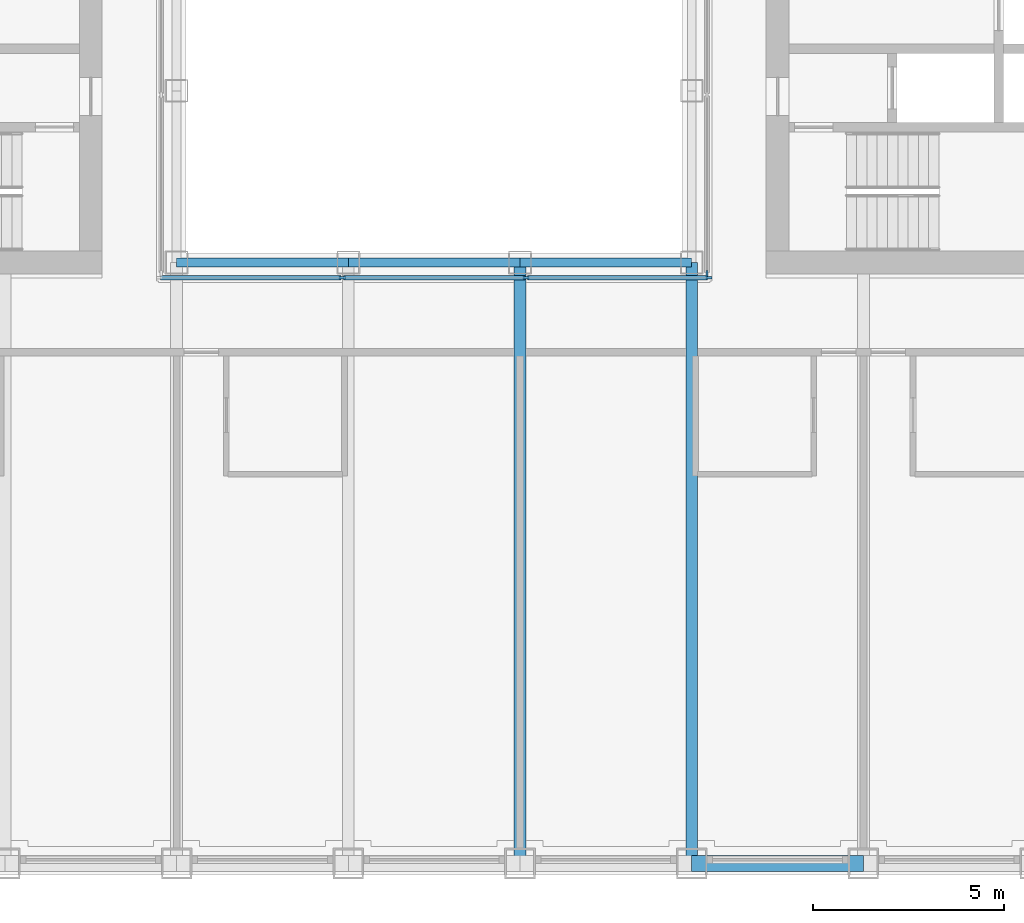
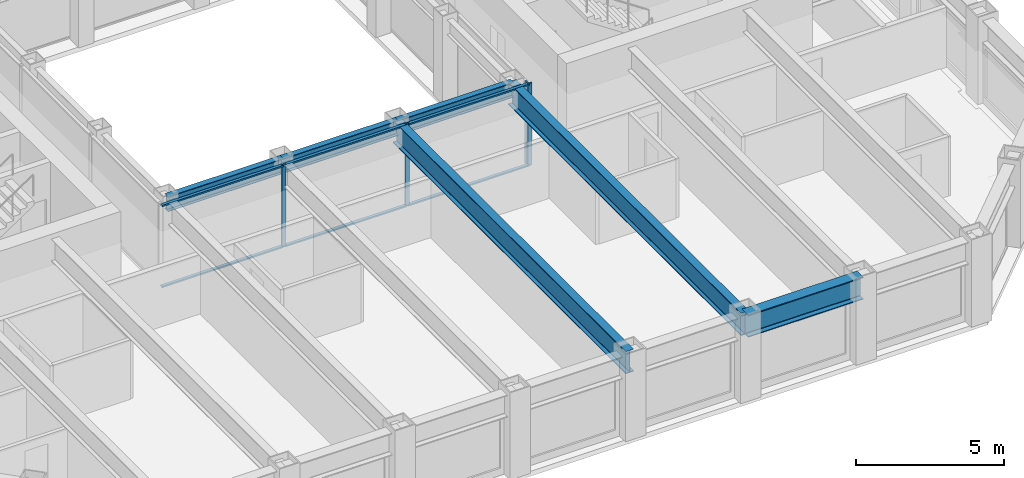
# One storey, part 3 of 17: 10 members, 6 beams, 2 elements without a shape of their own.
"""IFC4 building model written with IfcOpenShell, lengths in metres."""

from ifc_helpers import new_model, si_unit, direction, frame, origin, origin_2d, place, context, subcontext, project, spatial, rectangle, i_section, extrude, material, material_profile, profile_set, type_object, element, aggregate, save


model = new_model("IFC4")

# Units and contexts
model_context = context("Model", 3, precision=1e-05, world=origin(), true_north=direction((0.0, 1.0)))
body_context = subcontext(model_context, "Body", "Model", "MODEL_VIEW")
ifc_project = project(units=[si_unit("LENGTHUNIT", "METRE"), si_unit("AREAUNIT", "SQUARE_METRE"), si_unit("VOLUMEUNIT", "CUBIC_METRE"), si_unit("PLANEANGLEUNIT", "RADIAN"), si_unit("MASSUNIT", "GRAM", prefix="KILO")], contexts=[model_context])

# Site, building, storey
site_placement = place(None, origin())
site = spatial("IfcSite", under=ifc_project, at=site_placement, CompositionType="ELEMENT")
building_placement = place(site_placement, origin())
building = spatial("IfcBuilding", under=site, at=building_placement, Name="Msasa Ring Tower", CompositionType="ELEMENT")
storey_placement = place(building_placement, frame((0.0, 0.0, 172.39990234375)))
storey = spatial("IfcBuildingStorey", under=building, at=storey_placement, Name="L45", CompositionType="ELEMENT", Elevation=172.39990234375)

# Curtain wall, members
ifc_material_1 = material(Name="Aluminium curtain wall with clear glass", Category="aluminium")
curtain_wall_type = type_object("IfcCurtainWallType", Name="CW-W LIGHT WELL CURTAIN WALL", PredefinedType="NOTDEFINED", material=ifc_material_1)
curtain_wall_1_placement = place(storey_placement, origin())
curtain_wall_1 = element("IfcCurtainWall", 1, at=curtain_wall_1_placement, inside=storey, type_object=curtain_wall_type, Name="Light well curtain wall S L45", PredefinedType="NOTDEFINED")
ifc_material_2 = material(Name="Aluminium mullion", Category="aluminium")
ifc_material_profile_1 = material_profile(ifc_material_2, rectangle(XDim=0.06005859375, YDim=0.159912109375, at=origin_2d()), Name="AL 60x160")
ifc_profile_set_1 = profile_set([ifc_material_profile_1], Name="Aluminium mullion")
member_type_1 = type_object("IfcMemberType", Name="CW-W MULLION 60x160", PredefinedType="MULLION", material=ifc_profile_set_1)
member_1_placement = place(storey_placement, frame((-2.409912109375, -7.14990234375, 0.0), z_axis=(0.0, 0.0, 1.0), x_axis=(0.0, 1.0, 0.0)))
member_1 = element("IfcMember", 2, at=member_1_placement, type_object=member_type_1, Name="CW-W mullion 2", PredefinedType="MULLION", context=body_context, shape_type="SweptSolid", body=[
    extrude(rectangle(XDim=0.06005859375, YDim=0.159912109375, at=origin_2d()), origin(), (0.0, 0.0, 1.0), 3.400146484375),
])
member_2_placement = place(storey_placement, frame((2.409912109375, -7.14990234375, 0.0), z_axis=(0.0, 0.0, 1.0), x_axis=(0.0, 1.0, 0.0)))
member_2 = element("IfcMember", 3, at=member_2_placement, type_object=member_type_1, Name="CW-W mullion 3", PredefinedType="MULLION", context=body_context, shape_type="SweptSolid", body=[
    extrude(rectangle(XDim=0.06005859375, YDim=0.159912109375, at=origin_2d()), origin(), (0.0, 0.0, 1.0), 3.400146484375),
])
member_3_placement = place(storey_placement, frame((7.199951171875, -7.14990234375, 0.0), z_axis=(0.0, 0.0, 1.0), x_axis=(0.0, 1.0, 0.0)))
member_3 = element("IfcMember", 4, at=member_3_placement, type_object=member_type_1, Name="CW-W mullion 4", PredefinedType="MULLION", context=body_context, shape_type="SweptSolid", body=[
    extrude(rectangle(XDim=0.06005859375, YDim=0.159912109375, at=origin_2d()), origin(), (0.0, 0.0, 1.0), 3.400146484375),
])

# Curtain wall, member
curtain_wall_2_placement = place(storey_placement, origin())
curtain_wall_2 = element("IfcCurtainWall", 5, at=curtain_wall_2_placement, inside=storey, type_object=curtain_wall_type, Name="Light well curtain wall E L45", PredefinedType="NOTDEFINED")
member_4_placement = place(storey_placement, frame((7.14990234375, -7.0400390625, 0.0), z_axis=(0.0, 0.0, 1.0), x_axis=(-1.0, 0.0, 0.0)))
member_4 = element("IfcMember", 6, at=member_4_placement, type_object=member_type_1, Name="CW-W mullion 1", PredefinedType="MULLION", context=body_context, shape_type="SweptSolid", body=[
    extrude(rectangle(XDim=0.06005859375, YDim=0.159912109375, at=origin_2d()), origin(), (0.0, 0.0, 1.0), 3.400146484375),
])
aggregate(curtain_wall_2, [member_4])

# Member
ifc_material_3 = material(Name="Aluminium transom", Category="aluminium")
ifc_material_profile_2 = material_profile(ifc_material_3, rectangle(XDim=0.1201171875, YDim=0.06005859375, at=origin_2d()), Name="AL 60x120")
ifc_profile_set_2 = profile_set([ifc_material_profile_2], Name="Aluminium transom")
member_type_2 = type_object("IfcMemberType", Name="CW-W TRANSOM 60x120", PredefinedType="USERDEFINED", material=ifc_profile_set_2)
member_5_placement = place(storey_placement, frame((-7.169921875, -7.14990234375, 0.030029296875), z_axis=(1.0, 0.0, 0.0), x_axis=(0.0, 1.0, 0.0)))
member_5 = element("IfcMember", 7, at=member_5_placement, type_object=member_type_2, Name="CW-W transom 1.1", ObjectType="TRANSOM", PredefinedType="USERDEFINED", context=body_context, shape_type="SweptSolid", body=[
    extrude(rectangle(XDim=0.1201171875, YDim=0.06005859375, at=origin_2d()), origin(), (0.0, 0.0, 1.0), 4.72998046875),
])

member_6_placement = place(storey_placement, frame((-7.169921875, -7.14990234375, 3.3701171875), z_axis=(1.0, 0.0, 0.0), x_axis=(0.0, 1.0, 0.0)))
member_6 = element("IfcMember", 8, at=member_6_placement, type_object=member_type_2, Name="CW-W transom 1.2", ObjectType="TRANSOM", PredefinedType="USERDEFINED", context=body_context, shape_type="SweptSolid", body=[
    extrude(rectangle(XDim=0.1201171875, YDim=0.06005859375, at=origin_2d()), origin(), (0.0, 0.0, 1.0), 4.72998046875),
])

member_7_placement = place(storey_placement, frame((-2.3798828125, -7.14990234375, 0.030029296875), z_axis=(1.0, 0.0, 0.0), x_axis=(0.0, 1.0, 0.0)))
member_7 = element("IfcMember", 9, at=member_7_placement, type_object=member_type_2, Name="CW-W transom 2.1", ObjectType="TRANSOM", PredefinedType="USERDEFINED", context=body_context, shape_type="SweptSolid", body=[
    extrude(rectangle(XDim=0.1201171875, YDim=0.06005859375, at=origin_2d()), origin(), (0.0, 0.0, 1.0), 4.759765625),
])

member_8_placement = place(storey_placement, frame((-2.3798828125, -7.14990234375, 3.3701171875), z_axis=(1.0, 0.0, 0.0), x_axis=(0.0, 1.0, 0.0)))
member_8 = element("IfcMember", 10, at=member_8_placement, type_object=member_type_2, Name="CW-W transom 2.2", ObjectType="TRANSOM", PredefinedType="USERDEFINED", context=body_context, shape_type="SweptSolid", body=[
    extrude(rectangle(XDim=0.1201171875, YDim=0.06005859375, at=origin_2d()), origin(), (0.0, 0.0, 1.0), 4.759765625),
])

member_9_placement = place(storey_placement, frame((2.43994140625, -7.14990234375, 0.030029296875), z_axis=(1.0, 0.0, 0.0), x_axis=(0.0, 1.0, 0.0)))
member_9 = element("IfcMember", 11, at=member_9_placement, type_object=member_type_2, Name="CW-W transom 3.1", ObjectType="TRANSOM", PredefinedType="USERDEFINED", context=body_context, shape_type="SweptSolid", body=[
    extrude(rectangle(XDim=0.1201171875, YDim=0.06005859375, at=origin_2d()), origin(), (0.0, 0.0, 1.0), 4.72998046875),
])

member_10_placement = place(storey_placement, frame((2.43994140625, -7.14990234375, 3.3701171875), z_axis=(1.0, 0.0, 0.0), x_axis=(0.0, 1.0, 0.0)))
member_10 = element("IfcMember", 12, at=member_10_placement, type_object=member_type_2, Name="CW-W transom 3.2", ObjectType="TRANSOM", PredefinedType="USERDEFINED", context=body_context, shape_type="SweptSolid", body=[
    extrude(rectangle(XDim=0.1201171875, YDim=0.06005859375, at=origin_2d()), origin(), (0.0, 0.0, 1.0), 4.72998046875),
])

aggregate(curtain_wall_1, [member_1, member_2, member_3, member_5, member_6, member_7, member_8, member_9, member_10])

# Beams
ifc_material_4 = material(Name="Steel S355", Category="steel")
ifc_material_profile_3 = material_profile(ifc_material_4, i_section(OverallWidth=0.3076171875, OverallDepth=0.926513671875, WebThickness=0.01953125, FlangeThickness=0.031982421875, FilletRadius=0.01904296875, at=origin_2d()), Name="UB 914x305x289")
ifc_profile_set_3 = profile_set([ifc_material_profile_3], Name="Steel S355")
beam_type_1 = type_object("IfcBeamType", Name="FB3 UB 914x305x289", PredefinedType="BEAM", material=ifc_profile_set_3)
for number, where, z_axis, x_axis, name in (
    (13, (2.25, -22.5, 2.936767578125), (0.0, 1.0, 0.0), (-1.0, 0.0, 0.0), "Floor beam S+2.25 under L46"),
    (14, (6.75, -22.5, 2.936767578125), (0.0, 1.0, 0.0), (-1.0, 0.0, 0.0), "Floor beam S+6.75 under L46"),
):
    element("IfcBeam", number, at=place(storey_placement, frame(where, z_axis=z_axis, x_axis=x_axis)), inside=storey, type_object=beam_type_1, Name=name, PredefinedType="BEAM", context=body_context, shape_type="SweptSolid", body=[
        extrude(i_section(OverallWidth=0.3076171875, OverallDepth=0.926513671875, WebThickness=0.01953125, FlangeThickness=0.031982421875, FilletRadius=0.01904296875, at=origin_2d()), origin(), (0.0, 0.0, 1.0), 15.75),
    ])
ifc_material_5 = material(Name="Steel S355", Category="steel")
ifc_material_profile_4 = material_profile(ifc_material_5, i_section(OverallWidth=0.230224609375, OverallDepth=0.6171875, WebThickness=0.01318359375, FlangeThickness=0.022216796875, FilletRadius=0.0126953125, at=origin_2d()), Name="UB 610x229x140")
ifc_profile_set_4 = profile_set([ifc_material_profile_4], Name="Steel S355")
beam_type_2 = type_object("IfcBeamType", Name="RB1 UB 610x229x140", PredefinedType="BEAM", material=ifc_profile_set_4)
for number, where, z_axis, x_axis, name in (
    (15, (-6.75, -6.75, 3.091552734375), (1.0, 0.0, 0.0), (0.0, 1.0, 0.0), "Inner ring beam IR-6.75-6.75 under L46"),
    (16, (-2.25, -6.75, 3.091552734375), (1.0, 0.0, 0.0), (0.0, 1.0, 0.0), "Inner ring beam IR-2.25-6.75 under L46"),
    (17, (2.25, -6.75, 3.091552734375), (1.0, 0.0, 0.0), (0.0, 1.0, 0.0), "Inner ring beam IR+2.25-6.75 under L46"),
):
    element("IfcBeam", number, at=place(storey_placement, frame(where, z_axis=z_axis, x_axis=x_axis)), inside=storey, type_object=beam_type_2, Name=name, PredefinedType="BEAM", context=body_context, shape_type="SweptSolid", body=[
        extrude(i_section(OverallWidth=0.230224609375, OverallDepth=0.6171875, WebThickness=0.01318359375, FlangeThickness=0.022216796875, FilletRadius=0.0126953125, at=origin_2d()), origin(), (0.0, 0.0, 1.0), 4.5),
    ])
ifc_material_6 = material(Name="Steel S355", Category="steel")
ifc_material_profile_5 = material_profile(ifc_material_6, i_section(OverallWidth=0.42041015625, OverallDepth=0.9208984375, WebThickness=0.021484375, FlangeThickness=0.03662109375, FilletRadius=0.024169921875, at=origin_2d()), Name="UB 914x419x388")
ifc_profile_set_5 = profile_set([ifc_material_profile_5], Name="Steel S355")
beam_type_3 = type_object("IfcBeamType", Name="SB1 UB 914x419x388", PredefinedType="SPANDREL", material=ifc_profile_set_5)
beam_placement = place(storey_placement, frame((6.75, -22.5, 2.939697265625), z_axis=(1.0, 0.0, 0.0), x_axis=(0.0, 1.0, 0.0)))
element("IfcBeam", 18, at=beam_placement, inside=storey, type_object=beam_type_3, Name="Spandrel S+6.75 to S+11.25 under L46", PredefinedType="SPANDREL", context=body_context, shape_type="SweptSolid", body=[
    extrude(i_section(OverallWidth=0.42041015625, OverallDepth=0.9208984375, WebThickness=0.021484375, FlangeThickness=0.03662109375, FilletRadius=0.024169921875, at=origin_2d()), origin(), (0.0, 0.0, 1.0), 4.5),
])

save(model, "model.ifc")
